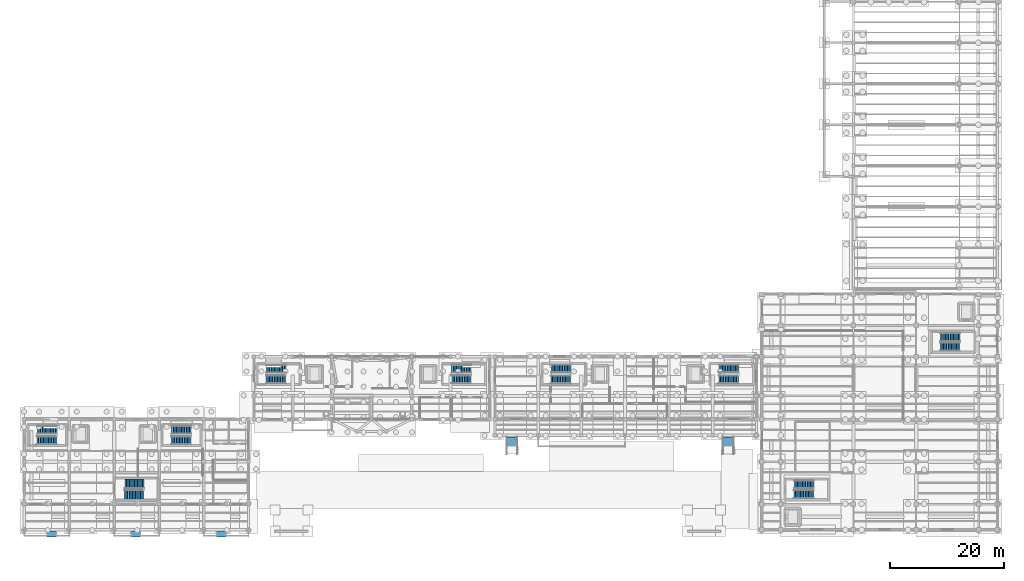
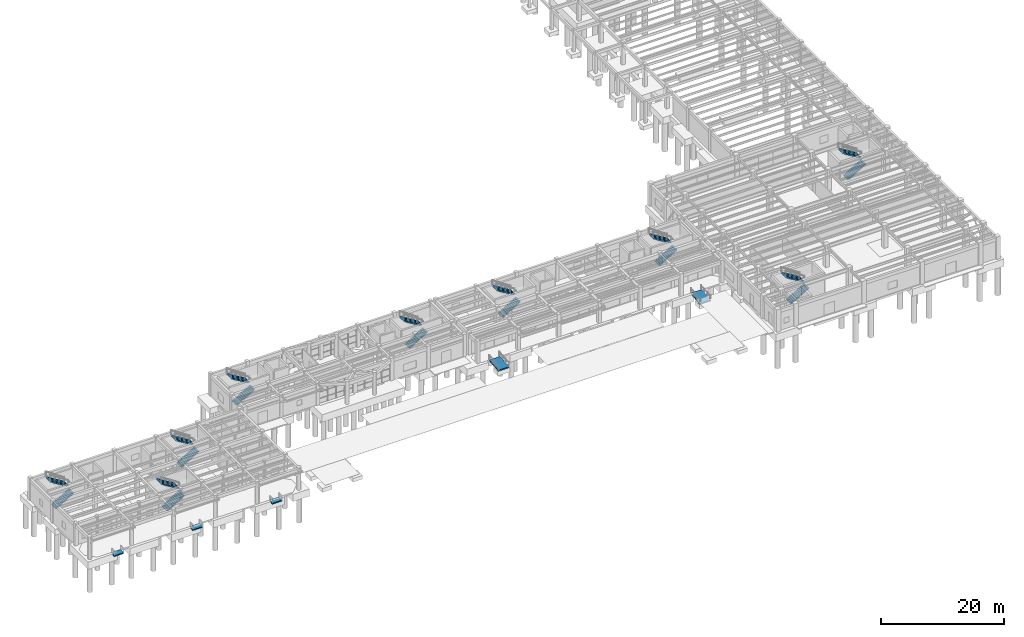
# One storey, part 34 of 41: 18 stair flights, 5 ramp flights, 14 elements without a shape of their own.
"""IFC4 building model written with IfcOpenShell, lengths in metres."""

from ifc_helpers import new_model, si_unit, direction, frame, origin, place, context, subcontext, project, spatial, polyline, outline, extrude, material, type_object, element, aggregate, save


model = new_model("IFC4")

# Units and contexts
model_context = context("Model", 3, precision=1e-05, world=origin(), true_north=direction((0.0, 1.0)))
body_context = subcontext(model_context, "Body", "Model", "MODEL_VIEW")
ifc_project = project(units=[si_unit("LENGTHUNIT", "METRE"), si_unit("AREAUNIT", "SQUARE_METRE"), si_unit("VOLUMEUNIT", "CUBIC_METRE"), si_unit("PLANEANGLEUNIT", "RADIAN"), si_unit("MASSUNIT", "GRAM", prefix="KILO")], contexts=[model_context])

# Site, building, storey
site_placement = place(None, origin())
site = spatial("IfcSite", under=ifc_project, at=site_placement, CompositionType="ELEMENT")
building_placement = place(site_placement, origin())
building = spatial("IfcBuilding", under=site, at=building_placement, Name="Candilejo Ridge Gondola Terminal", CompositionType="ELEMENT")
storey_placement = place(building_placement, origin())
storey = spatial("IfcBuildingStorey", under=building, at=storey_placement, Name="L00", CompositionType="ELEMENT", Elevation=0.0)

# Stair, stair flights
ifc_material_1 = material(Name="Concrete f'c 35 MPa (C35/45)", Category="concrete")
stair_type_1 = type_object("IfcStairType", Name="STR-STAIR-1450-4500", PredefinedType="HALF_TURN_STAIR", material=ifc_material_1)
stair_1_placement = place(storey_placement, origin())
stair_1 = element("IfcStair", 1, at=stair_1_placement, inside=storey, type_object=stair_type_1, Name="Enclosed fire exit stair ST-V1A-L00", PredefinedType="HALF_TURN_STAIR")
ifc_material_2 = material(Name="Concrete f'c 35 MPa (C35/45)", Category="concrete")
stair_flight_type_1 = type_object("IfcStairFlightType", Name="STR-FLIGHT-CORE-1450", PredefinedType="STRAIGHT", material=ifc_material_2)
stair_flight_1_placement = place(storey_placement, frame((6.550048828125, 21.989990234375, 0.0), z_axis=(0.0, 0.0, 1.0), x_axis=(1.0, 0.0, 0.0)))
stair_flight_1 = element("IfcStairFlight", 2, at=stair_flight_1_placement, type_object=stair_flight_type_1, Name="Stair flight ST-V1A-F01", NumberOfRisers=13, NumberOfTreads=12, PredefinedType="STRAIGHT", RiserHeight=0.17308, TreadLength=0.285, context=body_context, shape_type="SweptSolid", body=[
    extrude(outline(polyline([(0.0, 0.0), (0.0, 0.173095703125), (0.284912109375, 0.173095703125), (0.284912109375, 0.34619140625), (0.570068359375, 0.34619140625), (0.570068359375, 0.519287109375), (0.85498046875, 0.519287109375), (0.85498046875, 0.6923828125), (1.139892578125, 0.6923828125), (1.139892578125, 0.865478515625), (1.425048828125, 0.865478515625), (1.425048828125, 1.03857421875), (1.7099609375, 1.03857421875), (1.7099609375, 1.211669921875), (1.9951171875, 1.211669921875), (1.9951171875, 1.384521484375), (2.280029296875, 1.384521484375), (2.280029296875, 1.5576171875), (2.56494140625, 1.5576171875), (2.56494140625, 1.730712890625), (2.85009765625, 1.730712890625), (2.85009765625, 1.90380859375), (3.135009765625, 1.90380859375), (3.135009765625, 2.076904296875), (3.419921875, 2.076904296875), (3.419921875, 2.25), (3.419921875, 1.866455078125), (0.3466796875, 0.0), (0.0, 0.0)])), frame((0.0, 0.72509765625, 0.0), z_axis=(0.0, -1.0, 0.0), x_axis=(1.0, 0.0, 0.0)), (0.0, 0.0, 1.0), 1.449951171875),
])
stair_flight_2_placement = place(storey_placement, frame((10.030029296875, 23.860107421875, 2.25), z_axis=(0.0, 0.0, 1.0), x_axis=(-1.0, 0.0, 0.0)))
stair_flight_2 = element("IfcStairFlight", 3, at=stair_flight_2_placement, type_object=stair_flight_type_1, Name="Stair flight ST-V1A-F02", NumberOfRisers=13, NumberOfTreads=12, PredefinedType="STRAIGHT", RiserHeight=0.17308, TreadLength=0.285, context=body_context, shape_type="SweptSolid", body=[
    extrude(outline(polyline([(0.0, 0.0), (0.0, 0.173095703125), (0.284912109375, 0.173095703125), (0.284912109375, 0.34619140625), (0.570068359375, 0.34619140625), (0.570068359375, 0.519287109375), (0.85498046875, 0.519287109375), (0.85498046875, 0.6923828125), (1.139892578125, 0.6923828125), (1.139892578125, 0.865478515625), (1.425048828125, 0.865478515625), (1.425048828125, 1.03857421875), (1.7099609375, 1.03857421875), (1.7099609375, 1.211669921875), (1.9951171875, 1.211669921875), (1.9951171875, 1.384521484375), (2.280029296875, 1.384521484375), (2.280029296875, 1.5576171875), (2.56494140625, 1.5576171875), (2.56494140625, 1.730712890625), (2.85009765625, 1.730712890625), (2.85009765625, 1.90380859375), (3.135009765625, 1.90380859375), (3.135009765625, 2.076904296875), (3.419921875, 2.076904296875), (3.419921875, 2.25), (3.419921875, 1.866455078125), (0.3466796875, 0.0), (0.0, 0.0)])), frame((0.0, 0.72509765625, 0.0), z_axis=(0.0, -1.0, 0.0), x_axis=(1.0, 0.0, 0.0)), (0.0, 0.0, 1.0), 1.449951171875),
])
aggregate(stair_1, [stair_flight_1, stair_flight_2])

stair_2_placement = place(storey_placement, origin())
stair_2 = element("IfcStair", 4, at=stair_2_placement, inside=storey, type_object=stair_type_1, Name="Enclosed fire exit stair ST-V1B-L00", PredefinedType="HALF_TURN_STAIR")
stair_flight_3_placement = place(storey_placement, frame((30.14990234375, 21.989990234375, 0.0), z_axis=(0.0, 0.0, 1.0), x_axis=(1.0, 0.0, 0.0)))
stair_flight_3 = element("IfcStairFlight", 5, at=stair_flight_3_placement, type_object=stair_flight_type_1, Name="Stair flight ST-V1B-F01", NumberOfRisers=13, NumberOfTreads=12, PredefinedType="STRAIGHT", RiserHeight=0.17308, TreadLength=0.285, context=body_context, shape_type="SweptSolid", body=[
    extrude(outline(polyline([(0.0, 0.0), (0.0, 0.173095703125), (0.284912109375, 0.173095703125), (0.284912109375, 0.34619140625), (0.570068359375, 0.34619140625), (0.570068359375, 0.519287109375), (0.85498046875, 0.519287109375), (0.85498046875, 0.6923828125), (1.139892578125, 0.6923828125), (1.139892578125, 0.865478515625), (1.425048828125, 0.865478515625), (1.425048828125, 1.03857421875), (1.7099609375, 1.03857421875), (1.7099609375, 1.211669921875), (1.9951171875, 1.211669921875), (1.9951171875, 1.384521484375), (2.280029296875, 1.384521484375), (2.280029296875, 1.5576171875), (2.56494140625, 1.5576171875), (2.56494140625, 1.730712890625), (2.85009765625, 1.730712890625), (2.85009765625, 1.90380859375), (3.135009765625, 1.90380859375), (3.135009765625, 2.076904296875), (3.419921875, 2.076904296875), (3.419921875, 2.25), (3.419921875, 1.866455078125), (0.3466796875, 0.0), (0.0, 0.0)])), frame((0.0, 0.72509765625, 0.0), z_axis=(0.0, -1.0, 0.0), x_axis=(1.0, 0.0, 0.0)), (0.0, 0.0, 1.0), 1.449951171875),
])
stair_flight_4_placement = place(storey_placement, frame((33.6298828125, 23.860107421875, 2.25), z_axis=(0.0, 0.0, 1.0), x_axis=(-1.0, 0.0, 0.0)))
stair_flight_4 = element("IfcStairFlight", 6, at=stair_flight_4_placement, type_object=stair_flight_type_1, Name="Stair flight ST-V1B-F02", NumberOfRisers=13, NumberOfTreads=12, PredefinedType="STRAIGHT", RiserHeight=0.17308, TreadLength=0.285, context=body_context, shape_type="SweptSolid", body=[
    extrude(outline(polyline([(0.0, 0.0), (0.0, 0.173095703125), (0.284912109375, 0.173095703125), (0.284912109375, 0.34619140625), (0.570068359375, 0.34619140625), (0.570068359375, 0.519287109375), (0.85498046875, 0.519287109375), (0.85498046875, 0.6923828125), (1.139892578125, 0.6923828125), (1.139892578125, 0.865478515625), (1.425048828125, 0.865478515625), (1.425048828125, 1.03857421875), (1.7099609375, 1.03857421875), (1.7099609375, 1.211669921875), (1.9951171875, 1.211669921875), (1.9951171875, 1.384521484375), (2.280029296875, 1.384521484375), (2.280029296875, 1.5576171875), (2.56494140625, 1.5576171875), (2.56494140625, 1.730712890625), (2.85009765625, 1.730712890625), (2.85009765625, 1.90380859375), (3.135009765625, 1.90380859375), (3.135009765625, 2.076904296875), (3.419921875, 2.076904296875), (3.419921875, 2.25), (3.419921875, 1.866455078125), (0.3466796875, 0.0), (0.0, 0.0)])), frame((0.0, 0.72509765625, 0.0), z_axis=(0.0, -1.0, 0.0), x_axis=(1.0, 0.0, 0.0)), (0.0, 0.0, 1.0), 1.449951171875),
])
aggregate(stair_2, [stair_flight_3, stair_flight_4])

stair_3_placement = place(storey_placement, origin())
stair_3 = element("IfcStair", 7, at=stair_3_placement, inside=storey, type_object=stair_type_1, Name="Enclosed fire exit stair ST-V2A-L00", PredefinedType="HALF_TURN_STAIR")
stair_flight_5_placement = place(storey_placement, frame((46.800048828125, 32.68994140625, 0.0), z_axis=(0.0, 0.0, 1.0), x_axis=(1.0, 0.0, 0.0)))
stair_flight_5 = element("IfcStairFlight", 8, at=stair_flight_5_placement, type_object=stair_flight_type_1, Name="Stair flight ST-V2A-F01", NumberOfRisers=13, NumberOfTreads=12, PredefinedType="STRAIGHT", RiserHeight=0.17308, TreadLength=0.285, context=body_context, shape_type="SweptSolid", body=[
    extrude(outline(polyline([(0.0, 0.0), (0.0, 0.173095703125), (0.284912109375, 0.173095703125), (0.284912109375, 0.34619140625), (0.570068359375, 0.34619140625), (0.570068359375, 0.519287109375), (0.85498046875, 0.519287109375), (0.85498046875, 0.6923828125), (1.139892578125, 0.6923828125), (1.139892578125, 0.865478515625), (1.425048828125, 0.865478515625), (1.425048828125, 1.03857421875), (1.7099609375, 1.03857421875), (1.7099609375, 1.211669921875), (1.9951171875, 1.211669921875), (1.9951171875, 1.384521484375), (2.280029296875, 1.384521484375), (2.280029296875, 1.5576171875), (2.56494140625, 1.5576171875), (2.56494140625, 1.730712890625), (2.85009765625, 1.730712890625), (2.85009765625, 1.90380859375), (3.135009765625, 1.90380859375), (3.135009765625, 2.076904296875), (3.419921875, 2.076904296875), (3.419921875, 2.25), (3.419921875, 1.866455078125), (0.3466796875, 0.0), (0.0, 0.0)])), frame((0.0, 0.72509765625, 0.0), z_axis=(0.0, -1.0, 0.0), x_axis=(1.0, 0.0, 0.0)), (0.0, 0.0, 1.0), 1.449951171875),
])
stair_flight_6_placement = place(storey_placement, frame((50.280029296875, 34.56005859375, 2.25), z_axis=(0.0, 0.0, 1.0), x_axis=(-1.0, 0.0, 0.0)))
stair_flight_6 = element("IfcStairFlight", 9, at=stair_flight_6_placement, type_object=stair_flight_type_1, Name="Stair flight ST-V2A-F02", NumberOfRisers=13, NumberOfTreads=12, PredefinedType="STRAIGHT", RiserHeight=0.17308, TreadLength=0.285, context=body_context, shape_type="SweptSolid", body=[
    extrude(outline(polyline([(0.0, 0.0), (0.0, 0.173095703125), (0.284912109375, 0.173095703125), (0.284912109375, 0.34619140625), (0.570068359375, 0.34619140625), (0.570068359375, 0.519287109375), (0.85498046875, 0.519287109375), (0.85498046875, 0.6923828125), (1.139892578125, 0.6923828125), (1.139892578125, 0.865478515625), (1.425048828125, 0.865478515625), (1.425048828125, 1.03857421875), (1.7099609375, 1.03857421875), (1.7099609375, 1.211669921875), (1.9951171875, 1.211669921875), (1.9951171875, 1.384521484375), (2.280029296875, 1.384521484375), (2.280029296875, 1.5576171875), (2.56494140625, 1.5576171875), (2.56494140625, 1.730712890625), (2.85009765625, 1.730712890625), (2.85009765625, 1.90380859375), (3.135009765625, 1.90380859375), (3.135009765625, 2.076904296875), (3.419921875, 2.076904296875), (3.419921875, 2.25), (3.419921875, 1.866455078125), (0.3466796875, 0.0), (0.0, 0.0)])), frame((0.0, 0.72509765625, 0.0), z_axis=(0.0, -1.0, 0.0), x_axis=(1.0, 0.0, 0.0)), (0.0, 0.0, 1.0), 1.449951171875),
])
aggregate(stair_3, [stair_flight_5, stair_flight_6])

stair_4_placement = place(storey_placement, origin())
stair_4 = element("IfcStair", 10, at=stair_4_placement, inside=storey, type_object=stair_type_1, Name="Enclosed fire exit stair ST-V2B-L00", PredefinedType="HALF_TURN_STAIR")
stair_flight_7_placement = place(storey_placement, frame((79.35009765625, 32.68994140625, 0.0), z_axis=(0.0, 0.0, 1.0), x_axis=(1.0, 0.0, 0.0)))
stair_flight_7 = element("IfcStairFlight", 11, at=stair_flight_7_placement, type_object=stair_flight_type_1, Name="Stair flight ST-V2B-F01", NumberOfRisers=13, NumberOfTreads=12, PredefinedType="STRAIGHT", RiserHeight=0.17308, TreadLength=0.285, context=body_context, shape_type="SweptSolid", body=[
    extrude(outline(polyline([(0.0, 0.0), (0.0, 0.173095703125), (0.284912109375, 0.173095703125), (0.284912109375, 0.34619140625), (0.570068359375, 0.34619140625), (0.570068359375, 0.519287109375), (0.85498046875, 0.519287109375), (0.85498046875, 0.6923828125), (1.139892578125, 0.6923828125), (1.139892578125, 0.865478515625), (1.425048828125, 0.865478515625), (1.425048828125, 1.03857421875), (1.7099609375, 1.03857421875), (1.7099609375, 1.211669921875), (1.9951171875, 1.211669921875), (1.9951171875, 1.384521484375), (2.280029296875, 1.384521484375), (2.280029296875, 1.5576171875), (2.56494140625, 1.5576171875), (2.56494140625, 1.730712890625), (2.85009765625, 1.730712890625), (2.85009765625, 1.90380859375), (3.135009765625, 1.90380859375), (3.135009765625, 2.076904296875), (3.419921875, 2.076904296875), (3.419921875, 2.25), (3.419921875, 1.866455078125), (0.3466796875, 0.0), (0.0, 0.0)])), frame((0.0, 0.72509765625, 0.0), z_axis=(0.0, -1.0, 0.0), x_axis=(1.0, 0.0, 0.0)), (0.0, 0.0, 1.0), 1.449951171875),
])
stair_flight_8_placement = place(storey_placement, frame((82.830078125, 34.56005859375, 2.25), z_axis=(0.0, 0.0, 1.0), x_axis=(-1.0, 0.0, 0.0)))
stair_flight_8 = element("IfcStairFlight", 12, at=stair_flight_8_placement, type_object=stair_flight_type_1, Name="Stair flight ST-V2B-F02", NumberOfRisers=13, NumberOfTreads=12, PredefinedType="STRAIGHT", RiserHeight=0.17308, TreadLength=0.285, context=body_context, shape_type="SweptSolid", body=[
    extrude(outline(polyline([(0.0, 0.0), (0.0, 0.173095703125), (0.284912109375, 0.173095703125), (0.284912109375, 0.34619140625), (0.570068359375, 0.34619140625), (0.570068359375, 0.519287109375), (0.85498046875, 0.519287109375), (0.85498046875, 0.6923828125), (1.139892578125, 0.6923828125), (1.139892578125, 0.865478515625), (1.425048828125, 0.865478515625), (1.425048828125, 1.03857421875), (1.7099609375, 1.03857421875), (1.7099609375, 1.211669921875), (1.9951171875, 1.211669921875), (1.9951171875, 1.384521484375), (2.280029296875, 1.384521484375), (2.280029296875, 1.5576171875), (2.56494140625, 1.5576171875), (2.56494140625, 1.730712890625), (2.85009765625, 1.730712890625), (2.85009765625, 1.90380859375), (3.135009765625, 1.90380859375), (3.135009765625, 2.076904296875), (3.419921875, 2.076904296875), (3.419921875, 2.25), (3.419921875, 1.866455078125), (0.3466796875, 0.0), (0.0, 0.0)])), frame((0.0, 0.72509765625, 0.0), z_axis=(0.0, -1.0, 0.0), x_axis=(1.0, 0.0, 0.0)), (0.0, 0.0, 1.0), 1.449951171875),
])
aggregate(stair_4, [stair_flight_7, stair_flight_8])

stair_5_placement = place(storey_placement, origin())
stair_5 = element("IfcStair", 13, at=stair_5_placement, inside=storey, type_object=stair_type_1, Name="Enclosed fire exit stair ST-V3A-L00", PredefinedType="HALF_TURN_STAIR")
stair_flight_9_placement = place(storey_placement, frame((96.85009765625, 32.652587890625, 0.0), z_axis=(0.0, 0.0, 1.0), x_axis=(1.0, 0.0, 0.0)))
stair_flight_9 = element("IfcStairFlight", 14, at=stair_flight_9_placement, type_object=stair_flight_type_1, Name="Stair flight ST-V3A-F01", NumberOfRisers=13, NumberOfTreads=12, PredefinedType="STRAIGHT", RiserHeight=0.17308, TreadLength=0.285, context=body_context, shape_type="SweptSolid", body=[
    extrude(outline(polyline([(0.0, 0.0), (0.0, 0.173095703125), (0.284912109375, 0.173095703125), (0.284912109375, 0.34619140625), (0.570068359375, 0.34619140625), (0.570068359375, 0.519287109375), (0.85498046875, 0.519287109375), (0.85498046875, 0.6923828125), (1.139892578125, 0.6923828125), (1.139892578125, 0.865478515625), (1.425048828125, 0.865478515625), (1.425048828125, 1.03857421875), (1.7099609375, 1.03857421875), (1.7099609375, 1.211669921875), (1.9951171875, 1.211669921875), (1.9951171875, 1.384521484375), (2.280029296875, 1.384521484375), (2.280029296875, 1.5576171875), (2.56494140625, 1.5576171875), (2.56494140625, 1.730712890625), (2.85009765625, 1.730712890625), (2.85009765625, 1.90380859375), (3.135009765625, 1.90380859375), (3.135009765625, 2.076904296875), (3.419921875, 2.076904296875), (3.419921875, 2.25), (3.419921875, 1.866455078125), (0.3466796875, 0.0), (0.0, 0.0)])), frame((0.0, 0.72509765625, 0.0), z_axis=(0.0, -1.0, 0.0), x_axis=(1.0, 0.0, 0.0)), (0.0, 0.0, 1.0), 1.449951171875),
])
stair_flight_10_placement = place(storey_placement, frame((100.330078125, 34.597412109375, 2.25), z_axis=(0.0, 0.0, 1.0), x_axis=(-1.0, 0.0, 0.0)))
stair_flight_10 = element("IfcStairFlight", 15, at=stair_flight_10_placement, type_object=stair_flight_type_1, Name="Stair flight ST-V3A-F02", NumberOfRisers=13, NumberOfTreads=12, PredefinedType="STRAIGHT", RiserHeight=0.17308, TreadLength=0.285, context=body_context, shape_type="SweptSolid", body=[
    extrude(outline(polyline([(0.0, 0.0), (0.0, 0.173095703125), (0.284912109375, 0.173095703125), (0.284912109375, 0.34619140625), (0.570068359375, 0.34619140625), (0.570068359375, 0.519287109375), (0.85498046875, 0.519287109375), (0.85498046875, 0.6923828125), (1.139892578125, 0.6923828125), (1.139892578125, 0.865478515625), (1.425048828125, 0.865478515625), (1.425048828125, 1.03857421875), (1.7099609375, 1.03857421875), (1.7099609375, 1.211669921875), (1.9951171875, 1.211669921875), (1.9951171875, 1.384521484375), (2.280029296875, 1.384521484375), (2.280029296875, 1.5576171875), (2.56494140625, 1.5576171875), (2.56494140625, 1.730712890625), (2.85009765625, 1.730712890625), (2.85009765625, 1.90380859375), (3.135009765625, 1.90380859375), (3.135009765625, 2.076904296875), (3.419921875, 2.076904296875), (3.419921875, 2.25), (3.419921875, 1.866455078125), (0.3466796875, 0.0), (0.0, 0.0)])), frame((0.0, 0.72509765625, 0.0), z_axis=(0.0, -1.0, 0.0), x_axis=(1.0, 0.0, 0.0)), (0.0, 0.0, 1.0), 1.449951171875),
])
aggregate(stair_5, [stair_flight_9, stair_flight_10])

stair_6_placement = place(storey_placement, origin())
stair_6 = element("IfcStair", 16, at=stair_6_placement, inside=storey, type_object=stair_type_1, Name="Enclosed fire exit stair ST-V3B-L00", PredefinedType="HALF_TURN_STAIR")
stair_flight_11_placement = place(storey_placement, frame((126.35009765625, 32.652587890625, 0.0), z_axis=(0.0, 0.0, 1.0), x_axis=(1.0, 0.0, 0.0)))
stair_flight_11 = element("IfcStairFlight", 17, at=stair_flight_11_placement, type_object=stair_flight_type_1, Name="Stair flight ST-V3B-F01", NumberOfRisers=13, NumberOfTreads=12, PredefinedType="STRAIGHT", RiserHeight=0.17308, TreadLength=0.285, context=body_context, shape_type="SweptSolid", body=[
    extrude(outline(polyline([(0.0, 0.0), (0.0, 0.173095703125), (0.284912109375, 0.173095703125), (0.284912109375, 0.34619140625), (0.570068359375, 0.34619140625), (0.570068359375, 0.519287109375), (0.85498046875, 0.519287109375), (0.85498046875, 0.6923828125), (1.139892578125, 0.6923828125), (1.139892578125, 0.865478515625), (1.425048828125, 0.865478515625), (1.425048828125, 1.03857421875), (1.7099609375, 1.03857421875), (1.7099609375, 1.211669921875), (1.9951171875, 1.211669921875), (1.9951171875, 1.384521484375), (2.280029296875, 1.384521484375), (2.280029296875, 1.5576171875), (2.56494140625, 1.5576171875), (2.56494140625, 1.730712890625), (2.85009765625, 1.730712890625), (2.85009765625, 1.90380859375), (3.135009765625, 1.90380859375), (3.135009765625, 2.076904296875), (3.419921875, 2.076904296875), (3.419921875, 2.25), (3.419921875, 1.866455078125), (0.3466796875, 0.0), (0.0, 0.0)])), frame((0.0, 0.72509765625, 0.0), z_axis=(0.0, -1.0, 0.0), x_axis=(1.0, 0.0, 0.0)), (0.0, 0.0, 1.0), 1.449951171875),
])
stair_flight_12_placement = place(storey_placement, frame((129.830078125, 34.597412109375, 2.25), z_axis=(0.0, 0.0, 1.0), x_axis=(-1.0, 0.0, 0.0)))
stair_flight_12 = element("IfcStairFlight", 18, at=stair_flight_12_placement, type_object=stair_flight_type_1, Name="Stair flight ST-V3B-F02", NumberOfRisers=13, NumberOfTreads=12, PredefinedType="STRAIGHT", RiserHeight=0.17308, TreadLength=0.285, context=body_context, shape_type="SweptSolid", body=[
    extrude(outline(polyline([(0.0, 0.0), (0.0, 0.173095703125), (0.284912109375, 0.173095703125), (0.284912109375, 0.34619140625), (0.570068359375, 0.34619140625), (0.570068359375, 0.519287109375), (0.85498046875, 0.519287109375), (0.85498046875, 0.6923828125), (1.139892578125, 0.6923828125), (1.139892578125, 0.865478515625), (1.425048828125, 0.865478515625), (1.425048828125, 1.03857421875), (1.7099609375, 1.03857421875), (1.7099609375, 1.211669921875), (1.9951171875, 1.211669921875), (1.9951171875, 1.384521484375), (2.280029296875, 1.384521484375), (2.280029296875, 1.5576171875), (2.56494140625, 1.5576171875), (2.56494140625, 1.730712890625), (2.85009765625, 1.730712890625), (2.85009765625, 1.90380859375), (3.135009765625, 1.90380859375), (3.135009765625, 2.076904296875), (3.419921875, 2.076904296875), (3.419921875, 2.25), (3.419921875, 1.866455078125), (0.3466796875, 0.0), (0.0, 0.0)])), frame((0.0, 0.72509765625, 0.0), z_axis=(0.0, -1.0, 0.0), x_axis=(1.0, 0.0, 0.0)), (0.0, 0.0, 1.0), 1.449951171875),
])
aggregate(stair_6, [stair_flight_11, stair_flight_12])

ifc_material_3 = material(Name="Concrete f'c 35 MPa (C35/45)", Category="concrete")
stair_type_2 = type_object("IfcStairType", Name="STR-STAIR-1500-4500", PredefinedType="HALF_TURN_STAIR", material=ifc_material_3)
stair_7_placement = place(storey_placement, origin())
stair_7 = element("IfcStair", 19, at=stair_7_placement, inside=storey, type_object=stair_type_2, Name="Enclosed fire exit stair ST-V4A-L00", PredefinedType="HALF_TURN_STAIR")
ifc_material_4 = material(Name="Concrete f'c 35 MPa (C35/45)", Category="concrete")
stair_flight_type_2 = type_object("IfcStairFlightType", Name="STR-FLIGHT-CORE-1500", PredefinedType="STRAIGHT", material=ifc_material_4)
stair_flight_13_placement = place(storey_placement, frame((139.550048828125, 12.514892578125, 0.0), z_axis=(0.0, 0.0, 1.0), x_axis=(1.0, 0.0, 0.0)))
stair_flight_13 = element("IfcStairFlight", 20, at=stair_flight_13_placement, type_object=stair_flight_type_2, Name="Stair flight ST-V4A-F01", NumberOfRisers=13, NumberOfTreads=12, PredefinedType="STRAIGHT", RiserHeight=0.17308, TreadLength=0.285, context=body_context, shape_type="SweptSolid", body=[
    extrude(outline(polyline([(0.0, 0.0), (0.0, 0.173095703125), (0.284912109375, 0.173095703125), (0.284912109375, 0.34619140625), (0.570068359375, 0.34619140625), (0.570068359375, 0.519287109375), (0.85498046875, 0.519287109375), (0.85498046875, 0.6923828125), (1.139892578125, 0.6923828125), (1.139892578125, 0.865478515625), (1.425048828125, 0.865478515625), (1.425048828125, 1.03857421875), (1.7099609375, 1.03857421875), (1.7099609375, 1.211669921875), (1.9951171875, 1.211669921875), (1.9951171875, 1.384521484375), (2.280029296875, 1.384521484375), (2.280029296875, 1.5576171875), (2.56494140625, 1.5576171875), (2.56494140625, 1.730712890625), (2.85009765625, 1.730712890625), (2.85009765625, 1.90380859375), (3.135009765625, 1.90380859375), (3.135009765625, 2.076904296875), (3.419921875, 2.076904296875), (3.419921875, 2.25), (3.419921875, 1.866455078125), (0.3466796875, 0.0), (0.0, 0.0)])), frame((0.0, 0.75, 0.0), z_axis=(0.0, -1.0, 0.0), x_axis=(1.0, 0.0, 0.0)), (0.0, 0.0, 1.0), 1.5),
])
stair_flight_14_placement = place(storey_placement, frame((143.030029296875, 14.235107421875, 2.25), z_axis=(0.0, 0.0, 1.0), x_axis=(-1.0, 0.0, 0.0)))
stair_flight_14 = element("IfcStairFlight", 21, at=stair_flight_14_placement, type_object=stair_flight_type_2, Name="Stair flight ST-V4A-F02", NumberOfRisers=13, NumberOfTreads=12, PredefinedType="STRAIGHT", RiserHeight=0.17308, TreadLength=0.285, context=body_context, shape_type="SweptSolid", body=[
    extrude(outline(polyline([(0.0, 0.0), (0.0, 0.173095703125), (0.284912109375, 0.173095703125), (0.284912109375, 0.34619140625), (0.570068359375, 0.34619140625), (0.570068359375, 0.519287109375), (0.85498046875, 0.519287109375), (0.85498046875, 0.6923828125), (1.139892578125, 0.6923828125), (1.139892578125, 0.865478515625), (1.425048828125, 0.865478515625), (1.425048828125, 1.03857421875), (1.7099609375, 1.03857421875), (1.7099609375, 1.211669921875), (1.9951171875, 1.211669921875), (1.9951171875, 1.384521484375), (2.280029296875, 1.384521484375), (2.280029296875, 1.5576171875), (2.56494140625, 1.5576171875), (2.56494140625, 1.730712890625), (2.85009765625, 1.730712890625), (2.85009765625, 1.90380859375), (3.135009765625, 1.90380859375), (3.135009765625, 2.076904296875), (3.419921875, 2.076904296875), (3.419921875, 2.25), (3.419921875, 1.866455078125), (0.3466796875, 0.0), (0.0, 0.0)])), frame((0.0, 0.75, 0.0), z_axis=(0.0, -1.0, 0.0), x_axis=(1.0, 0.0, 0.0)), (0.0, 0.0, 1.0), 1.5),
])
aggregate(stair_7, [stair_flight_13, stair_flight_14])

stair_8_placement = place(storey_placement, origin())
stair_8 = element("IfcStair", 22, at=stair_8_placement, inside=storey, type_object=stair_type_2, Name="Enclosed fire exit stair ST-V4B-L00", PredefinedType="HALF_TURN_STAIR")
stair_flight_15_placement = place(storey_placement, frame((165.25, 38.4150390625, 0.0), z_axis=(0.0, 0.0, 1.0), x_axis=(1.0, 0.0, 0.0)))
stair_flight_15 = element("IfcStairFlight", 23, at=stair_flight_15_placement, type_object=stair_flight_type_2, Name="Stair flight ST-V4B-F01", NumberOfRisers=13, NumberOfTreads=12, PredefinedType="STRAIGHT", RiserHeight=0.17308, TreadLength=0.285, context=body_context, shape_type="SweptSolid", body=[
    extrude(outline(polyline([(0.0, 0.0), (0.0, 0.173095703125), (0.284912109375, 0.173095703125), (0.284912109375, 0.34619140625), (0.570068359375, 0.34619140625), (0.570068359375, 0.519287109375), (0.85498046875, 0.519287109375), (0.85498046875, 0.6923828125), (1.139892578125, 0.6923828125), (1.139892578125, 0.865478515625), (1.425048828125, 0.865478515625), (1.425048828125, 1.03857421875), (1.7099609375, 1.03857421875), (1.7099609375, 1.211669921875), (1.9951171875, 1.211669921875), (1.9951171875, 1.384521484375), (2.280029296875, 1.384521484375), (2.280029296875, 1.5576171875), (2.56494140625, 1.5576171875), (2.56494140625, 1.730712890625), (2.85009765625, 1.730712890625), (2.85009765625, 1.90380859375), (3.135009765625, 1.90380859375), (3.135009765625, 2.076904296875), (3.419921875, 2.076904296875), (3.419921875, 2.25), (3.419921875, 1.866455078125), (0.3466796875, 0.0), (0.0, 0.0)])), frame((0.0, 0.75, 0.0), z_axis=(0.0, -1.0, 0.0), x_axis=(1.0, 0.0, 0.0)), (0.0, 0.0, 1.0), 1.5),
])
stair_flight_16_placement = place(storey_placement, frame((168.72998046875, 40.135009765625, 2.25), z_axis=(0.0, 0.0, 1.0), x_axis=(-1.0, 0.0, 0.0)))
stair_flight_16 = element("IfcStairFlight", 24, at=stair_flight_16_placement, type_object=stair_flight_type_2, Name="Stair flight ST-V4B-F02", NumberOfRisers=13, NumberOfTreads=12, PredefinedType="STRAIGHT", RiserHeight=0.17308, TreadLength=0.285, context=body_context, shape_type="SweptSolid", body=[
    extrude(outline(polyline([(0.0, 0.0), (0.0, 0.173095703125), (0.284912109375, 0.173095703125), (0.284912109375, 0.34619140625), (0.570068359375, 0.34619140625), (0.570068359375, 0.519287109375), (0.85498046875, 0.519287109375), (0.85498046875, 0.6923828125), (1.139892578125, 0.6923828125), (1.139892578125, 0.865478515625), (1.425048828125, 0.865478515625), (1.425048828125, 1.03857421875), (1.7099609375, 1.03857421875), (1.7099609375, 1.211669921875), (1.9951171875, 1.211669921875), (1.9951171875, 1.384521484375), (2.280029296875, 1.384521484375), (2.280029296875, 1.5576171875), (2.56494140625, 1.5576171875), (2.56494140625, 1.730712890625), (2.85009765625, 1.730712890625), (2.85009765625, 1.90380859375), (3.135009765625, 1.90380859375), (3.135009765625, 2.076904296875), (3.419921875, 2.076904296875), (3.419921875, 2.25), (3.419921875, 1.866455078125), (0.3466796875, 0.0), (0.0, 0.0)])), frame((0.0, 0.75, 0.0), z_axis=(0.0, -1.0, 0.0), x_axis=(1.0, 0.0, 0.0)), (0.0, 0.0, 1.0), 1.5),
])
aggregate(stair_8, [stair_flight_15, stair_flight_16])

ifc_material_5 = material(Name="Concrete f'c 35 MPa (C35/45)", Category="concrete")
stair_type_3 = type_object("IfcStairType", Name="STR-STAIR-PUB-1650", PredefinedType="HALF_TURN_STAIR", material=ifc_material_5)
stair_9_placement = place(storey_placement, origin())
stair_9 = element("IfcStair", 25, at=stair_9_placement, inside=storey, type_object=stair_type_3, Name="Public concourse stair ST-PUB-01 (L00)", PredefinedType="HALF_TURN_STAIR")
ifc_material_6 = material(Name="Concrete f'c 35 MPa (C35/45)", Category="concrete")
stair_flight_type_3 = type_object("IfcStairFlightType", Name="STR-FLIGHT-PUB-1650", PredefinedType="STRAIGHT", material=ifc_material_6)
stair_flight_17_placement = place(storey_placement, frame((21.909912109375, 12.43994140625, 0.0), z_axis=(0.0, 0.0, 1.0), x_axis=(1.0, 0.0, 0.0)))
stair_flight_17 = element("IfcStairFlight", 26, at=stair_flight_17_placement, type_object=stair_flight_type_3, Name="Public stair flight ST-P01-F01", NumberOfRisers=13, NumberOfTreads=12, PredefinedType="STRAIGHT", RiserHeight=0.17308, TreadLength=0.28, context=body_context, shape_type="SweptSolid", body=[
    extrude(outline(polyline([(0.0, 0.0), (0.0, 0.173095703125), (0.280029296875, 0.173095703125), (0.280029296875, 0.34619140625), (0.56005859375, 0.34619140625), (0.56005859375, 0.519287109375), (0.840087890625, 0.519287109375), (0.840087890625, 0.6923828125), (1.1201171875, 0.6923828125), (1.1201171875, 0.865478515625), (1.39990234375, 0.865478515625), (1.39990234375, 1.03857421875), (1.679931640625, 1.03857421875), (1.679931640625, 1.211669921875), (1.9599609375, 1.211669921875), (1.9599609375, 1.384521484375), (2.239990234375, 1.384521484375), (2.239990234375, 1.5576171875), (2.52001953125, 1.5576171875), (2.52001953125, 1.730712890625), (2.800048828125, 1.730712890625), (2.800048828125, 1.90380859375), (3.080078125, 1.90380859375), (3.080078125, 2.076904296875), (3.360107421875, 2.076904296875), (3.360107421875, 2.25), (3.360107421875, 1.865478515625), (0.34228515625, 0.0), (0.0, 0.0)])), frame((0.0, 0.824951171875, 0.0), z_axis=(0.0, -1.0, 0.0), x_axis=(1.0, 0.0, 0.0)), (0.0, 0.0, 1.0), 1.64990234375),
])
stair_flight_18_placement = place(storey_placement, frame((25.330078125, 14.360107421875, 2.25), z_axis=(0.0, 0.0, 1.0), x_axis=(-1.0, 0.0, 0.0)))
stair_flight_18 = element("IfcStairFlight", 27, at=stair_flight_18_placement, type_object=stair_flight_type_3, Name="Public stair flight ST-P01-F02", NumberOfRisers=13, NumberOfTreads=12, PredefinedType="STRAIGHT", RiserHeight=0.17308, TreadLength=0.28, context=body_context, shape_type="SweptSolid", body=[
    extrude(outline(polyline([(0.0, 0.0), (0.0, 0.173095703125), (0.280029296875, 0.173095703125), (0.280029296875, 0.34619140625), (0.56005859375, 0.34619140625), (0.56005859375, 0.519287109375), (0.840087890625, 0.519287109375), (0.840087890625, 0.6923828125), (1.1201171875, 0.6923828125), (1.1201171875, 0.865478515625), (1.39990234375, 0.865478515625), (1.39990234375, 1.03857421875), (1.679931640625, 1.03857421875), (1.679931640625, 1.211669921875), (1.9599609375, 1.211669921875), (1.9599609375, 1.384521484375), (2.239990234375, 1.384521484375), (2.239990234375, 1.5576171875), (2.52001953125, 1.5576171875), (2.52001953125, 1.730712890625), (2.800048828125, 1.730712890625), (2.800048828125, 1.90380859375), (3.080078125, 1.90380859375), (3.080078125, 2.076904296875), (3.360107421875, 2.076904296875), (3.360107421875, 2.25), (3.360107421875, 1.865478515625), (0.34228515625, 0.0), (0.0, 0.0)])), frame((0.0, 0.824951171875, 0.0), z_axis=(0.0, -1.0, 0.0), x_axis=(1.0, 0.0, 0.0)), (0.0, 0.0, 1.0), 1.64990234375),
])
aggregate(stair_9, [stair_flight_17, stair_flight_18])

# Ramp, ramp flight
ifc_material_7 = material(Name="Concrete f'c 28 MPa (C28/35)", Category="concrete")
ramp_type = type_object("IfcRampType", Name="STR-RAMP-ACCESSIBLE", PredefinedType="STRAIGHT_RUN_RAMP", material=ifc_material_7)
ramp_1_placement = place(storey_placement, origin())
ramp_1 = element("IfcRamp", 28, at=ramp_1_placement, inside=storey, type_object=ramp_type, Name="Accessible ramp RM-01", PredefinedType="STRAIGHT_RUN_RAMP")
ramp_flight_type = type_object("IfcRampFlightType", Name="STR-RAMP-FLIGHT-1800", PredefinedType="STRAIGHT", material=ifc_material_7)
ramp_flight_1_placement = place(storey_placement, frame((9.10009765625, 5.050048828125, -0.074951171875), z_axis=(0.0, 0.0, 1.0), x_axis=(0.0, 1.0, 0.0)))
ramp_flight_1 = element("IfcRampFlight", 29, at=ramp_flight_1_placement, type_object=ramp_flight_type, Name="Accessible ramp flight RM-01-FL01", PredefinedType="STRAIGHT", context=body_context, shape_type="SweptSolid", body=[
    extrude(outline(polyline([(0.0, -0.219970703125), (0.449951171875, -0.219970703125), (0.949951171875, -0.14501953125), (0.949951171875, 0.074951171875), (0.0, 0.0), (0.0, -0.219970703125)])), frame((0.0, 0.89990234375, 0.0), z_axis=(0.0, -1.0, 0.0), x_axis=(1.0, 0.0, 0.0)), (0.0, 0.0, 1.0), 1.800048828125),
])
aggregate(ramp_1, [ramp_flight_1])

ramp_2_placement = place(storey_placement, origin())
ramp_2 = element("IfcRamp", 30, at=ramp_2_placement, inside=storey, type_object=ramp_type, Name="Accessible ramp RM-02", PredefinedType="STRAIGHT_RUN_RAMP")
ramp_flight_2_placement = place(storey_placement, frame((23.89990234375, 5.050048828125, -0.074951171875), z_axis=(0.0, 0.0, 1.0), x_axis=(0.0, 1.0, 0.0)))
ramp_flight_2 = element("IfcRampFlight", 31, at=ramp_flight_2_placement, type_object=ramp_flight_type, Name="Accessible ramp flight RM-02-FL01", PredefinedType="STRAIGHT", context=body_context, shape_type="SweptSolid", body=[
    extrude(outline(polyline([(0.0, -0.219970703125), (0.449951171875, -0.219970703125), (0.949951171875, -0.14501953125), (0.949951171875, 0.074951171875), (0.0, 0.0), (0.0, -0.219970703125)])), frame((0.0, 0.89990234375, 0.0), z_axis=(0.0, -1.0, 0.0), x_axis=(1.0, 0.0, 0.0)), (0.0, 0.0, 1.0), 1.800048828125),
])
aggregate(ramp_2, [ramp_flight_2])

ramp_3_placement = place(storey_placement, origin())
ramp_3 = element("IfcRamp", 32, at=ramp_3_placement, inside=storey, type_object=ramp_type, Name="Accessible ramp RM-03", PredefinedType="STRAIGHT_RUN_RAMP")
ramp_flight_3_placement = place(storey_placement, frame((38.89990234375, 5.050048828125, -0.074951171875), z_axis=(0.0, 0.0, 1.0), x_axis=(0.0, 1.0, 0.0)))
ramp_flight_3 = element("IfcRampFlight", 33, at=ramp_flight_3_placement, type_object=ramp_flight_type, Name="Accessible ramp flight RM-03-FL01", PredefinedType="STRAIGHT", context=body_context, shape_type="SweptSolid", body=[
    extrude(outline(polyline([(0.0, -0.219970703125), (0.449951171875, -0.219970703125), (0.949951171875, -0.14501953125), (0.949951171875, 0.074951171875), (0.0, 0.0), (0.0, -0.219970703125)])), frame((0.0, 0.89990234375, 0.0), z_axis=(0.0, -1.0, 0.0), x_axis=(1.0, 0.0, 0.0)), (0.0, 0.0, 1.0), 1.800048828125),
])
aggregate(ramp_3, [ramp_flight_3])

ramp_4_placement = place(storey_placement, origin())
ramp_4 = element("IfcRamp", 34, at=ramp_4_placement, inside=storey, type_object=ramp_type, Name="Accessible ramp RM-04", PredefinedType="STRAIGHT_RUN_RAMP")
ramp_flight_4_placement = place(storey_placement, frame((90.0, 19.60009765625, -0.239990234375), z_axis=(0.0, 0.0, 1.0), x_axis=(0.0, 1.0, 0.0)))
ramp_flight_4 = element("IfcRampFlight", 35, at=ramp_flight_4_placement, type_object=ramp_flight_type, Name="Accessible ramp flight RM-04-FL01", PredefinedType="STRAIGHT", context=body_context, shape_type="SweptSolid", body=[
    extrude(outline(polyline([(0.0, -0.239990234375), (0.449951171875, -0.239990234375), (3.0, 0.0), (3.0, 0.239990234375), (0.0, 0.0), (0.0, -0.239990234375)])), frame((0.0, 1.0, 0.0), z_axis=(0.0, -1.0, 0.0), x_axis=(1.0, 0.0, 0.0)), (0.0, 0.0, 1.0), 2.0),
])
aggregate(ramp_4, [ramp_flight_4])

ramp_5_placement = place(storey_placement, origin())
ramp_5 = element("IfcRamp", 36, at=ramp_5_placement, inside=storey, type_object=ramp_type, Name="Accessible ramp RM-05", PredefinedType="STRAIGHT_RUN_RAMP")
ramp_flight_5_placement = place(storey_placement, frame((128.0, 19.60009765625, -0.239990234375), z_axis=(0.0, 0.0, 1.0), x_axis=(0.0, 1.0, 0.0)))
ramp_flight_5 = element("IfcRampFlight", 37, at=ramp_flight_5_placement, type_object=ramp_flight_type, Name="Accessible ramp flight RM-05-FL01", PredefinedType="STRAIGHT", context=body_context, shape_type="SweptSolid", body=[
    extrude(outline(polyline([(0.0, -0.239990234375), (0.449951171875, -0.239990234375), (3.0, 0.0), (3.0, 0.239990234375), (0.0, 0.0), (0.0, -0.239990234375)])), frame((0.0, 1.0, 0.0), z_axis=(0.0, -1.0, 0.0), x_axis=(1.0, 0.0, 0.0)), (0.0, 0.0, 1.0), 2.0),
])
aggregate(ramp_5, [ramp_flight_5])

save(model, "model.ifc")
